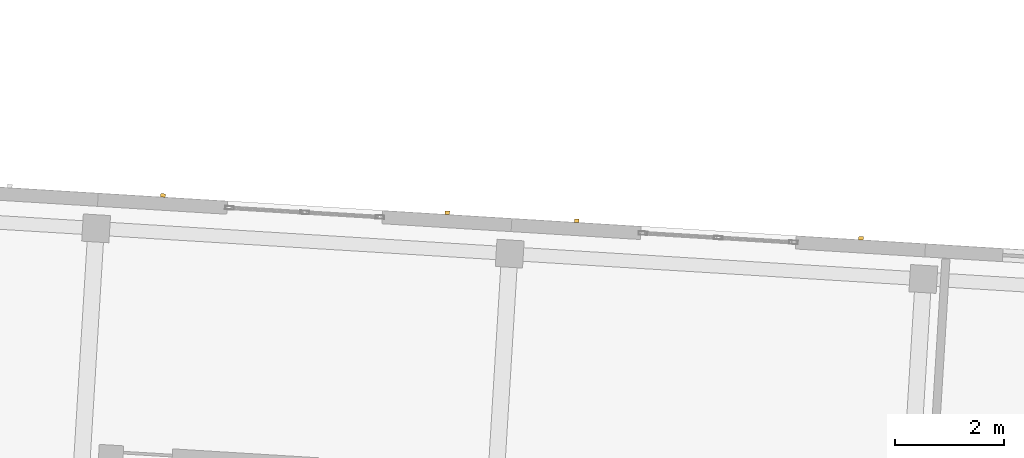
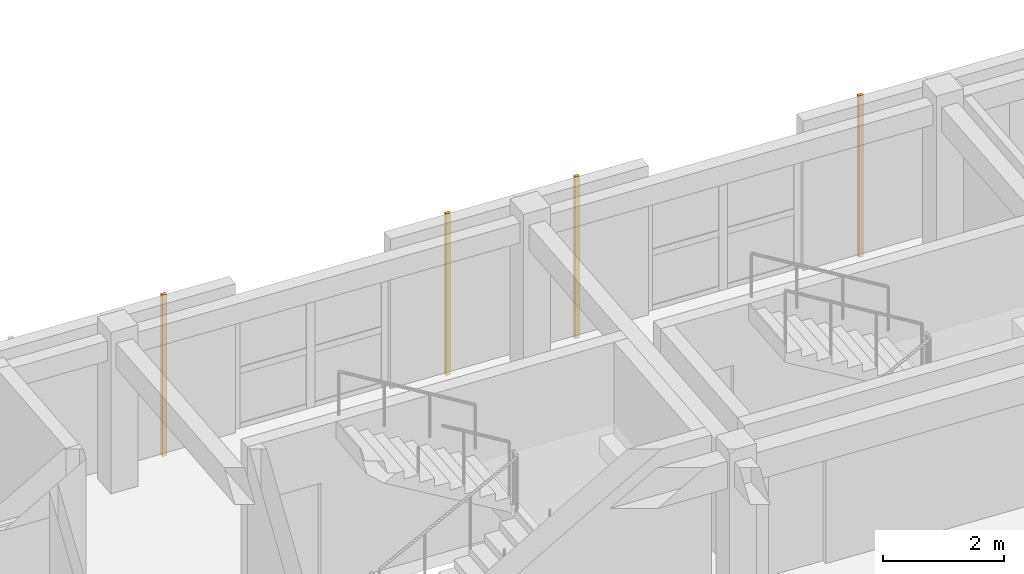
# One storey, part 55 of 66: 4 coverings.
"""IFC4 building model written with IfcOpenShell, lengths in metres."""

from ifc_helpers import new_model, si_unit, direction, frame, origin, origin_2d, place, context, subcontext, project, spatial, rectangle, extrude, material, layer, layer_set, type_object, element, save


model = new_model("IFC4")

# Units and contexts
model_context = context("Model", 3, precision=1e-05, world=origin(), true_north=direction((0.0, 1.0)))
body_context = subcontext(model_context, "Body", "Model", "MODEL_VIEW")
ifc_project = project(units=[si_unit("LENGTHUNIT", "METRE"), si_unit("AREAUNIT", "SQUARE_METRE"), si_unit("VOLUMEUNIT", "CUBIC_METRE"), si_unit("PLANEANGLEUNIT", "RADIAN"), si_unit("MASSUNIT", "GRAM", prefix="KILO")], contexts=[model_context])

# Site, building, storey
site_placement = place(None, origin())
site = spatial("IfcSite", under=ifc_project, at=site_placement, CompositionType="ELEMENT")
building_placement = place(site_placement, origin())
building = spatial("IfcBuilding", under=site, at=building_placement, Name="Kestramere Prow Commons", CompositionType="ELEMENT")
storey_placement = place(building_placement, frame((0.0, 0.0, 14.89990234375)))
storey = spatial("IfcBuildingStorey", under=building, at=storey_placement, Name="L04", CompositionType="ELEMENT", Elevation=14.89990234375)

# Coverings
ifc_material = material(Name="Weathered Zinc-Titanium Standing-Seam Cladding")
ifc_layer = layer(ifc_material, 0.074951171875)
ifc_layer_set = layer_set([ifc_layer], Name="Weathered Zinc-Titanium Standing-Seam Cladding")
covering_type = type_object("IfcCoveringType", Name="COV-CLAD-SEAM", PredefinedType="CLADDING", material=ifc_layer_set)
for number, where, z_axis, x_axis, name in (
    (1, (69.509033203125, 66.203125, -0.25), (0.0, 0.0, 1.0), (0.998134798422, -0.061048539535, 0.0), "EW-C-L04-NP-1-L Standing-Seam Rib 1"),
    (2, (74.724365234375, 65.88427734375, -0.25), (0.0, 0.0, 1.0), (0.998134798422, -0.061048539535, 0.0), "EW-C-L04-NP-1-R Standing-Seam Rib 1"),
    (3, (77.094970703125, 65.7392578125, -0.25), (0.0, 0.0, 1.0), (0.998134798422, -0.061048539535, 0.0), "EW-C-L04-NP-2-L Standing-Seam Rib 1"),
    (4, (82.31005859375, 65.420166015625, -0.25), (0.0, 0.0, 1.0), (0.998134798422, -0.061048539535, 0.0), "EW-C-L04-NP-2-R Standing-Seam Rib 1"),
):
    element("IfcCovering", number, at=place(storey_placement, frame(where, z_axis=z_axis, x_axis=x_axis)), inside=storey, type_object=covering_type, Name=name, PredefinedType="CLADDING", context=body_context, shape_type="SweptSolid", body=[
        extrude(rectangle(XDim=0.0849609375, YDim=0.06494140625, at=origin_2d()), origin(), (0.0, 0.0, 1.0), 3.25),
    ])

save(model, "model.ifc")
